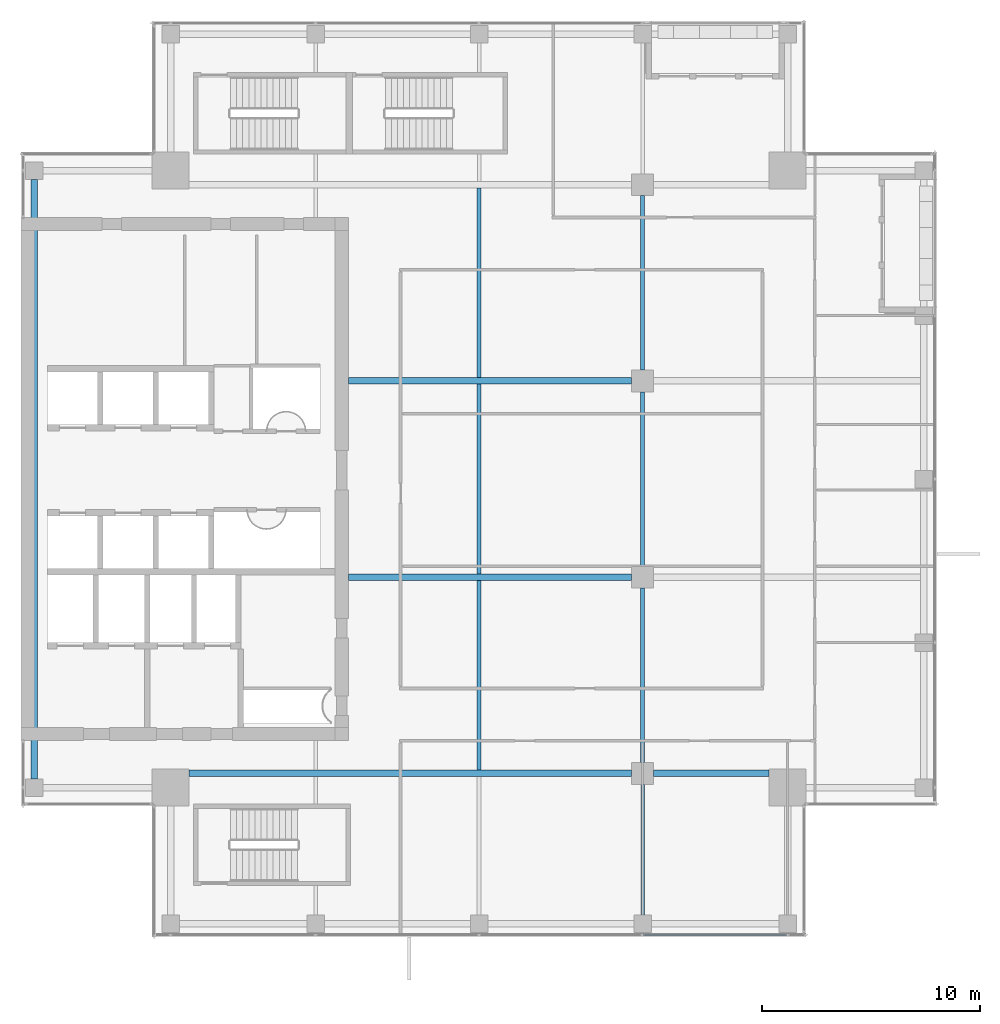
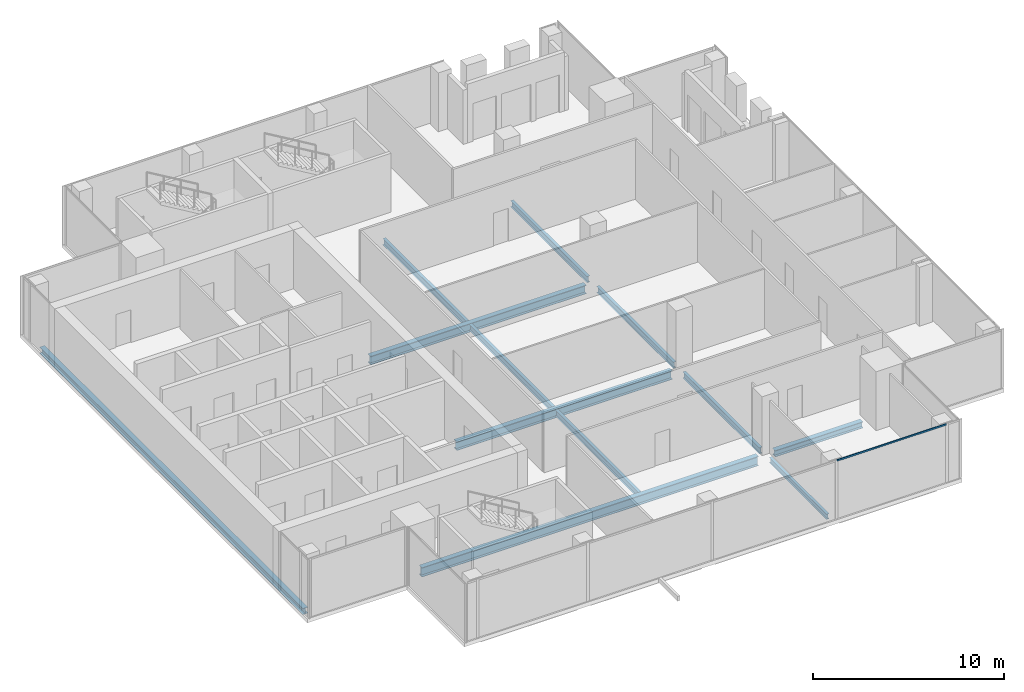
# One storey, part 7 of 28: 12 beams, 1 member, 1 element without a shape of its own.
"""IFC4 building model written with IfcOpenShell, lengths in metres."""

from ifc_helpers import new_model, si_unit, direction, frame, origin, origin_2d, place, context, subcontext, project, spatial, hollow_rectangle, i_section, extrude, source, transform, mapped, material, material_profile, profile_set, type_object, element, aggregate, save


model = new_model("IFC4")

# Units and contexts
model_context = context("Model", 3, precision=1e-05, world=origin(), true_north=direction((0.0, 1.0)))
body_context = subcontext(model_context, "Body", "Model", "MODEL_VIEW")
ifc_project = project(units=[si_unit("LENGTHUNIT", "METRE"), si_unit("AREAUNIT", "SQUARE_METRE"), si_unit("VOLUMEUNIT", "CUBIC_METRE"), si_unit("PLANEANGLEUNIT", "RADIAN"), si_unit("MASSUNIT", "GRAM", prefix="KILO")], contexts=[model_context])

# Site, building, storey
site_placement = place(None, origin())
site = spatial("IfcSite", under=ifc_project, at=site_placement, CompositionType="ELEMENT")
building_placement = place(site_placement, origin())
building = spatial("IfcBuilding", under=site, at=building_placement, Name="Khomas Fold Tower", CompositionType="ELEMENT")
storey_placement = place(building_placement, frame((0.0, 0.0, 302.199951171875)))
storey = spatial("IfcBuildingStorey", under=building, at=storey_placement, Name="L68", CompositionType="ELEMENT", Elevation=302.199951171875)

# Beams
ifc_material_1 = material(Name="Steel S355", Category="steel")
ifc_material_profile_1 = material_profile(ifc_material_1, i_section(OverallWidth=0.179931640625, OverallDepth=0.39990234375, WebThickness=0.008544921875, FlangeThickness=0.013427734375, at=origin_2d()), Name="IPE 400")
ifc_profile_set_1 = profile_set([ifc_material_profile_1], Name="Steel S355")
beam_type_1 = type_object("IfcBeamType", Name="IPE 400 beam JB3", PredefinedType="BEAM", material=ifc_profile_set_1)
shared_shape_1 = source(origin(), body_context, "Body", "SweptSolid", [
    extrude(i_section(OverallWidth=0.179931640625, OverallDepth=0.39990234375, WebThickness=0.008544921875, FlangeThickness=0.013427734375, at=origin_2d()), origin(), (0.0, 0.0, 1.0), 8.7001953125),
])
for number, where, z_axis, x_axis, name in (
    (1, (27.0, 13.64990234375, -0.449951171875), (0.0, 1.0, 0.0), (-1.0, 0.0, 0.0), "JB3"),
    (2, (27.0, 22.64990234375, -0.449951171875), (0.0, 1.0, 0.0), (-1.0, 0.0, 0.0), "JB3"),
    (3, (27.0, 31.64990234375, -0.449951171875), (0.0, 1.0, 0.0), (-1.0, 0.0, 0.0), "JB3"),
):
    element("IfcBeam", number, at=place(storey_placement, frame(where, z_axis=z_axis, x_axis=x_axis)), inside=storey, type_object=beam_type_1, Name=name, PredefinedType="BEAM", context=body_context, shape_type="MappedRepresentation", body=[
        mapped(shared_shape_1, transform((0.0, 0.0, 0.0))),
    ])
ifc_material_2 = material(Name="Steel S355", Category="steel")
ifc_material_profile_2 = material_profile(ifc_material_2, i_section(OverallWidth=0.300048828125, OverallDepth=0.39990234375, WebThickness=0.013427734375, FlangeThickness=0.02392578125, at=origin_2d()), Name="HE 400 B")
ifc_profile_set_2 = profile_set([ifc_material_profile_2], Name="Steel S355")
beam_type_2 = type_object("IfcBeamType", Name="HE 400 B spandrel SB5", PredefinedType="SPANDREL", material=ifc_profile_set_2)
shared_shape_2 = source(origin(), body_context, "Body", "SweptSolid", [
    extrude(i_section(OverallWidth=0.300048828125, OverallDepth=0.39990234375, WebThickness=0.013427734375, FlangeThickness=0.02392578125, at=origin_2d()), origin(), (0.0, 0.0, 1.0), 27.5),
])
beam_1_placement = place(storey_placement, frame((6.60009765625, 13.25, -0.449951171875), z_axis=(0.0, 1.0, 0.0), x_axis=(-1.0, 0.0, 0.0)))
element("IfcBeam", 4, at=beam_1_placement, inside=storey, type_object=beam_type_2, Name="SB5", PredefinedType="SPANDREL", context=body_context, shape_type="MappedRepresentation", body=[
    mapped(shared_shape_2, transform((0.0, 0.0, 0.0))),
])
ifc_material_3 = material(Name="Steel S355", Category="steel")
ifc_material_profile_3 = material_profile(ifc_material_3, i_section(OverallWidth=0.300048828125, OverallDepth=0.60009765625, WebThickness=0.015380859375, FlangeThickness=0.030029296875, at=origin_2d()), Name="HE 600 B")
ifc_profile_set_3 = profile_set([ifc_material_profile_3], Name="Steel S355")
beam_type_3 = type_object("IfcBeamType", Name="HE 600 B beam GB5", PredefinedType="BEAM", material=ifc_profile_set_3)
shared_shape_3 = source(origin(), body_context, "Body", "SweptSolid", [
    extrude(i_section(OverallWidth=0.300048828125, OverallDepth=0.60009765625, WebThickness=0.015380859375, FlangeThickness=0.030029296875, at=origin_2d()), origin(), (0.0, 0.0, 1.0), 20.300048828125),
])
beam_2_placement = place(storey_placement, frame((13.699951171875, 13.5, -0.550048828125), z_axis=(1.0, 0.0, 0.0), x_axis=(0.0, 1.0, 0.0)))
element("IfcBeam", 5, at=beam_2_placement, inside=storey, type_object=beam_type_3, Name="GB5", PredefinedType="BEAM", context=body_context, shape_type="MappedRepresentation", body=[
    mapped(shared_shape_3, transform((0.0, 0.0, 0.0))),
])
ifc_material_4 = material(Name="Steel S355", Category="steel")
ifc_material_profile_4 = material_profile(ifc_material_4, i_section(OverallWidth=0.300048828125, OverallDepth=0.39990234375, WebThickness=0.013427734375, FlangeThickness=0.02392578125, at=origin_2d()), Name="HE 400 B")
ifc_profile_set_4 = profile_set([ifc_material_profile_4], Name="Steel S355")
beam_type_4 = type_object("IfcBeamType", Name="HE 400 B beam GB1", PredefinedType="BEAM", material=ifc_profile_set_4)
shared_shape_4 = source(origin(), body_context, "Body", "SweptSolid", [
    extrude(i_section(OverallWidth=0.300048828125, OverallDepth=0.39990234375, WebThickness=0.013427734375, FlangeThickness=0.02392578125, at=origin_2d()), origin(), (0.0, 0.0, 1.0), 5.300048828125),
])
beam_3_placement = place(storey_placement, frame((35.0, 13.5, -0.449951171875), z_axis=(1.0, 0.0, 0.0), x_axis=(0.0, 1.0, 0.0)))
element("IfcBeam", 6, at=beam_3_placement, inside=storey, type_object=beam_type_4, Name="GB1", PredefinedType="BEAM", context=body_context, shape_type="MappedRepresentation", body=[
    mapped(shared_shape_4, transform((0.0, 0.0, 0.0))),
])
ifc_material_5 = material(Name="Steel S355", Category="steel")
ifc_material_profile_5 = material_profile(ifc_material_5, i_section(OverallWidth=0.300048828125, OverallDepth=0.550048828125, WebThickness=0.014892578125, FlangeThickness=0.029052734375, at=origin_2d()), Name="HE 550 B")
ifc_profile_set_5 = profile_set([ifc_material_profile_5], Name="Steel S355")
beam_type_5 = type_object("IfcBeamType", Name="HE 550 B beam GB4", PredefinedType="BEAM", material=ifc_profile_set_5)
shared_shape_5 = source(origin(), body_context, "Body", "SweptSolid", [
    extrude(i_section(OverallWidth=0.300048828125, OverallDepth=0.550048828125, WebThickness=0.014892578125, FlangeThickness=0.029052734375, at=origin_2d()), origin(), (0.0, 0.0, 1.0), 13.0),
])
for number, where, z_axis, x_axis, name in (
    (7, (21.0, 22.5, -0.52490234375), (1.0, 0.0, 0.0), (0.0, 1.0, 0.0), "GB4"),
    (8, (21.0, 31.5, -0.52490234375), (1.0, 0.0, 0.0), (0.0, 1.0, 0.0), "GB4"),
):
    element("IfcBeam", number, at=place(storey_placement, frame(where, z_axis=z_axis, x_axis=x_axis)), inside=storey, type_object=beam_type_5, Name=name, PredefinedType="BEAM", context=body_context, shape_type="MappedRepresentation", body=[
        mapped(shared_shape_5, transform((0.0, 0.0, 0.0))),
    ])
ifc_material_6 = material(Name="Steel S355", Category="steel")
ifc_material_profile_6 = material_profile(ifc_material_6, i_section(OverallWidth=0.159912109375, OverallDepth=0.330078125, WebThickness=0.007568359375, FlangeThickness=0.011474609375, at=origin_2d()), Name="IPE 330")
ifc_profile_set_6 = profile_set([ifc_material_profile_6], Name="Steel S355")
beam_type_6 = type_object("IfcBeamType", Name="IPE 330 beam JB1", PredefinedType="BEAM", material=ifc_profile_set_6)
shared_shape_6 = source(origin(), body_context, "Body", "SweptSolid", [
    extrude(i_section(OverallWidth=0.159912109375, OverallDepth=0.330078125, WebThickness=0.007568359375, FlangeThickness=0.011474609375, at=origin_2d()), origin(), (0.0, 0.0, 1.0), 6.0),
])
beam_4_placement = place(storey_placement, frame((34.5, 7.0, -0.4150390625), z_axis=(0.0, 1.0, 0.0), x_axis=(-1.0, 0.0, 0.0)))
element("IfcBeam", 9, at=beam_4_placement, inside=storey, type_object=beam_type_6, Name="JB1", PredefinedType="BEAM", context=body_context, shape_type="MappedRepresentation", body=[
    mapped(shared_shape_6, transform((0.0, 0.0, 0.0))),
])
shared_shape_7 = source(origin(), body_context, "Body", "SweptSolid", [
    extrude(i_section(OverallWidth=0.179931640625, OverallDepth=0.39990234375, WebThickness=0.008544921875, FlangeThickness=0.013427734375, at=origin_2d()), origin(), (0.0, 0.0, 1.0), 8.0),
])
for number, where, z_axis, x_axis, name in (
    (10, (34.5, 14.0, -0.449951171875), (0.0, 1.0, 0.0), (-1.0, 0.0, 0.0), "JB3"),
    (11, (34.5, 23.0, -0.449951171875), (0.0, 1.0, 0.0), (-1.0, 0.0, 0.0), "JB3"),
    (12, (34.5, 32.0, -0.449951171875), (0.0, 1.0, 0.0), (-1.0, 0.0, 0.0), "JB3"),
):
    element("IfcBeam", number, at=place(storey_placement, frame(where, z_axis=z_axis, x_axis=x_axis)), inside=storey, type_object=beam_type_1, Name=name, PredefinedType="BEAM", context=body_context, shape_type="MappedRepresentation", body=[
        mapped(shared_shape_7, transform((0.0, 0.0, 0.0))),
    ])

# Curtain wall, member
ifc_material_7 = material(Name="Aluminium framed double glazing", Category="aluminium")
curtain_wall_type = type_object("IfcCurtainWallType", Name="SK-Unitised clear-glass wall, upper floors CW3", PredefinedType="NOTDEFINED", material=ifc_material_7)
curtain_wall_placement = place(storey_placement, origin())
curtain_wall = element("IfcCurtainWall", 13, at=curtain_wall_placement, inside=storey, type_object=curtain_wall_type, Name="CW3 run L68 00-0", PredefinedType="NOTDEFINED")
ifc_material_8 = material(Name="Aluminium", Category="aluminium")
ifc_material_profile_7 = material_profile(ifc_material_8, hollow_rectangle(XDim=0.050048828125, YDim=0.10009765625, WallThickness=0.00390625, at=origin_2d()), Name="SK-Unitised clear-glass wall, upper floors transom CW3-T")
ifc_profile_set_7 = profile_set([ifc_material_profile_7], Name="Aluminium")
member_type = type_object("IfcMemberType", Name="SK-Unitised clear-glass wall, upper floors transom CW3-T", PredefinedType="USERDEFINED", material=ifc_profile_set_7)
shared_shape_8 = source(origin(), body_context, "Body", "SweptSolid", [
    extrude(hollow_rectangle(XDim=0.050048828125, YDim=0.10009765625, WallThickness=0.00390625, at=origin_2d()), origin(), (0.0, 0.0, 1.0), 6.60009765625),
])
member_placement = place(storey_placement, frame((34.52490234375, 6.10009765625, 3.699951171875), z_axis=(1.0, 0.0, 0.0), x_axis=(0.0, 1.0, 0.0)))
member = element("IfcMember", 14, at=member_placement, type_object=member_type, Name="CW3 transom 5", ObjectType="TRANSOM", PredefinedType="USERDEFINED", context=body_context, shape_type="MappedRepresentation", body=[
    mapped(shared_shape_8, transform((0.0, 0.0, 0.0))),
])
aggregate(curtain_wall, [member])

save(model, "model.ifc")
